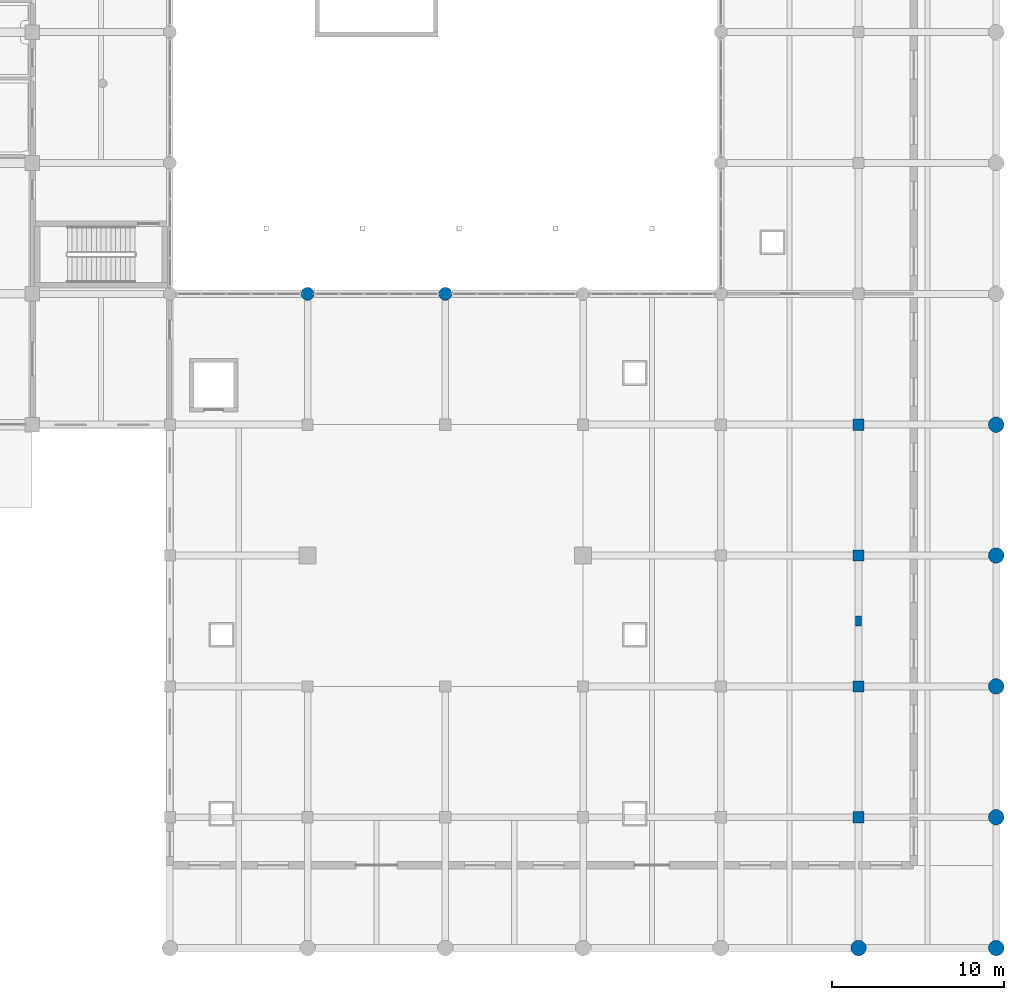
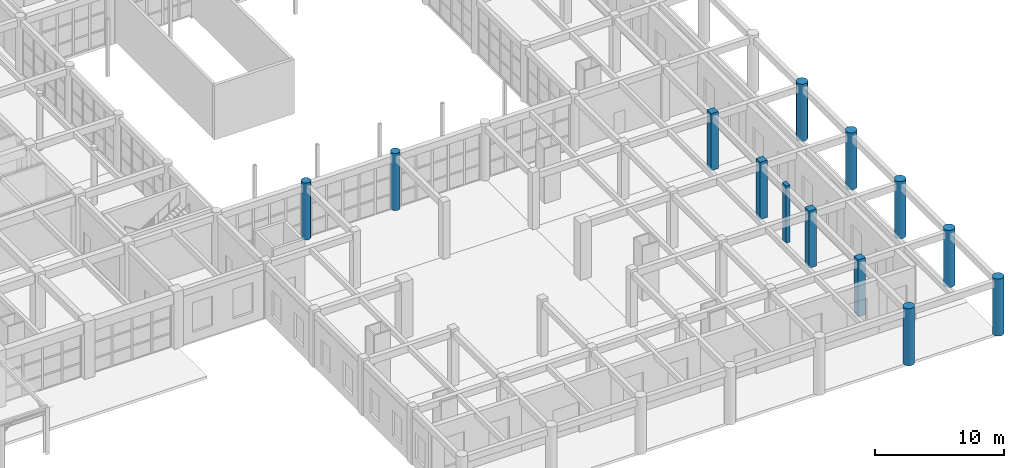
# One storey, part 9 of 95: 13 columns.
"""IFC4 building model written with IfcOpenShell, lengths in metres."""

from ifc_helpers import new_model, si_unit, direction, frame, origin, origin_2d, place, context, subcontext, project, spatial, rectangle, circle, extrude, material, material_profile, profile_set, type_object, element, save


model = new_model("IFC4")

# Units and contexts
model_context = context("Model", 3, precision=1e-05, world=origin(), true_north=direction((0.0, 1.0)))
body_context = subcontext(model_context, "Body", "Model", "MODEL_VIEW")
ifc_project = project(units=[si_unit("LENGTHUNIT", "METRE"), si_unit("AREAUNIT", "SQUARE_METRE"), si_unit("VOLUMEUNIT", "CUBIC_METRE"), si_unit("PLANEANGLEUNIT", "RADIAN"), si_unit("MASSUNIT", "GRAM", prefix="KILO")], contexts=[model_context])

# Site, building, storey
site_placement = place(None, origin())
site = spatial("IfcSite", under=ifc_project, at=site_placement, CompositionType="ELEMENT")
building_placement = place(site_placement, origin())
building = spatial("IfcBuilding", under=site, at=building_placement, Name="Zantavel Square City Hall", CompositionType="ELEMENT")
storey_placement = place(building_placement, origin())
storey = spatial("IfcBuildingStorey", under=building, at=storey_placement, Name="L01", CompositionType="ELEMENT", Elevation=0.0)

# Columns
ifc_material = material(Name="Concrete C40/50", Category="concrete")
ifc_material_profile_1 = material_profile(ifc_material, rectangle(XDim=0.60009765625, YDim=0.35009765625, at=origin_2d()), Name="RC 600x350")
ifc_profile_set_1 = profile_set([ifc_material_profile_1], Name="Concrete C40/50")
column_type_1 = type_object("IfcColumnType", Name="Colossal Facade Pilaster 600x350 C40/50", PredefinedType="PILASTER", material=ifc_profile_set_1)
column_placement = place(storey_placement, frame((160.0, 19.0, 0.0), z_axis=(0.0, 0.0, 1.0), x_axis=(0.0, 1.0, 0.0)))
element("IfcColumn", 1, at=column_placement, inside=storey, type_object=column_type_1, Name="L01 Facade Pilaster PIL-L01-1600-0190", PredefinedType="PILASTER", context=body_context, shape_type="SweptSolid", body=[
    extrude(rectangle(XDim=0.60009765625, YDim=0.35009765625, at=origin_2d()), origin(), (0.0, 0.0, 1.0), 5.39990234375),
])
ifc_material_profile_2 = material_profile(ifc_material, rectangle(XDim=0.64990234375, YDim=0.64990234375, at=origin_2d()), Name="RC 650x650")
ifc_profile_set_2 = profile_set([ifc_material_profile_2], Name="Concrete C40/50")
column_type_2 = type_object("IfcColumnType", Name="Column RC 650x650 C40/50", PredefinedType="COLUMN", material=ifc_profile_set_2)
for number, where, z_axis, x_axis, name in (
    (2, (160.0, 7.60009765625, 0.0), (0.0, 0.0, 1.0), (1.0, 0.0, 0.0), "L01 Column COL-L01-1600-0076"),
    (3, (160.0, 15.199951171875, 0.0), (0.0, 0.0, 1.0), (1.0, 0.0, 0.0), "L01 Column COL-L01-1600-0152"),
    (4, (160.0, 22.800048828125, 0.0), (0.0, 0.0, 1.0), (1.0, 0.0, 0.0), "L01 Column COL-L01-1600-0228"),
    (5, (160.0, 30.39990234375, 0.0), (0.0, 0.0, 1.0), (1.0, 0.0, 0.0), "L01 Column COL-L01-1600-0304"),
):
    element("IfcColumn", number, at=place(storey_placement, frame(where, z_axis=z_axis, x_axis=x_axis)), inside=storey, type_object=column_type_2, Name=name, PredefinedType="COLUMN", context=body_context, shape_type="SweptSolid", body=[
        extrude(rectangle(XDim=0.64990234375, YDim=0.64990234375, at=origin_2d()), origin(), (0.0, 0.0, 1.0), 5.39990234375),
    ])
ifc_material_profile_3 = material_profile(ifc_material, circle(Radius=0.375, at=origin_2d()), Name="ROUND D750")
ifc_profile_set_3 = profile_set([ifc_material_profile_3], Name="Concrete C40/50")
column_type_3 = type_object("IfcColumnType", Name="Courtyard Ionic Column D750 C40/50", PredefinedType="COLUMN", material=ifc_profile_set_3)
for number, where, z_axis, x_axis, name in (
    (6, (128.0, 38.0, 0.0), (0.0, 0.0, 1.0), (1.0, 0.0, 0.0), "L01 Column COL-L01-1280-0380"),
    (7, (136.0, 38.0, 0.0), (0.0, 0.0, 1.0), (1.0, 0.0, 0.0), "L01 Column COL-L01-1360-0380"),
):
    element("IfcColumn", number, at=place(storey_placement, frame(where, z_axis=z_axis, x_axis=x_axis)), inside=storey, type_object=column_type_3, Name=name, PredefinedType="COLUMN", context=body_context, shape_type="SweptSolid", body=[
        extrude(circle(Radius=0.375, at=origin_2d()), origin(), (0.0, 0.0, 1.0), 5.39990234375),
    ])
ifc_material_profile_4 = material_profile(ifc_material, circle(Radius=0.449951171875, at=origin_2d()), Name="ROUND D900")
ifc_profile_set_4 = profile_set([ifc_material_profile_4], Name="Concrete C40/50")
column_type_4 = type_object("IfcColumnType", Name="Portales Tuscan Column D900 C40/50", PredefinedType="COLUMN", material=ifc_profile_set_4)
for number, where, z_axis, x_axis, name in (
    (8, (160.0, 0.0, 0.0), (0.0, 0.0, 1.0), (1.0, 0.0, 0.0), "L01 Column COL-L01-1600-0000"),
    (9, (168.0, 0.0, 0.0), (0.0, 0.0, 1.0), (1.0, 0.0, 0.0), "L01 Column COL-L01-1680-0000"),
    (10, (168.0, 7.60009765625, 0.0), (0.0, 0.0, 1.0), (1.0, 0.0, 0.0), "L01 Column COL-L01-1680-0076"),
    (11, (168.0, 15.199951171875, 0.0), (0.0, 0.0, 1.0), (1.0, 0.0, 0.0), "L01 Column COL-L01-1680-0152"),
    (12, (168.0, 22.800048828125, 0.0), (0.0, 0.0, 1.0), (1.0, 0.0, 0.0), "L01 Column COL-L01-1680-0228"),
    (13, (168.0, 30.39990234375, 0.0), (0.0, 0.0, 1.0), (1.0, 0.0, 0.0), "L01 Column COL-L01-1680-0304"),
):
    element("IfcColumn", number, at=place(storey_placement, frame(where, z_axis=z_axis, x_axis=x_axis)), inside=storey, type_object=column_type_4, Name=name, PredefinedType="COLUMN", context=body_context, shape_type="SweptSolid", body=[
        extrude(circle(Radius=0.449951171875, at=origin_2d()), origin(), (0.0, 0.0, 1.0), 5.39990234375),
    ])

save(model, "model.ifc")
